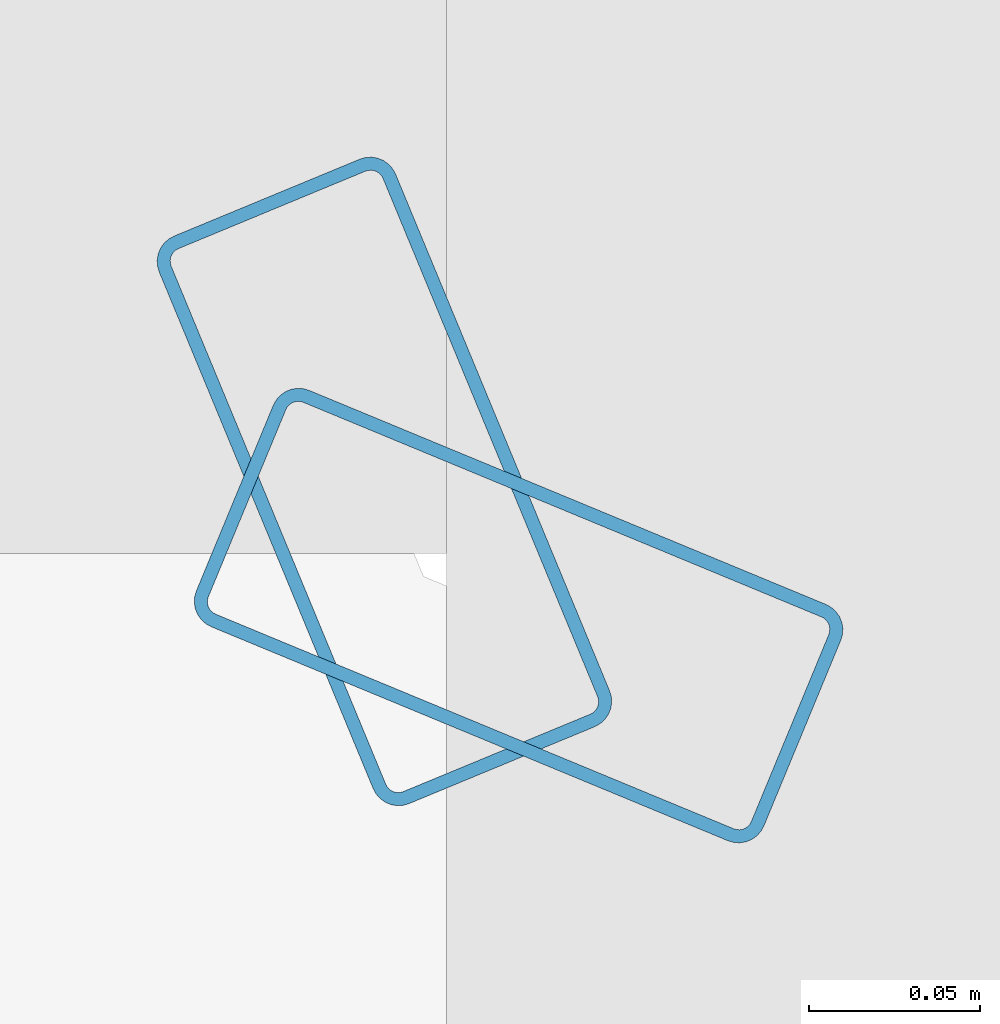
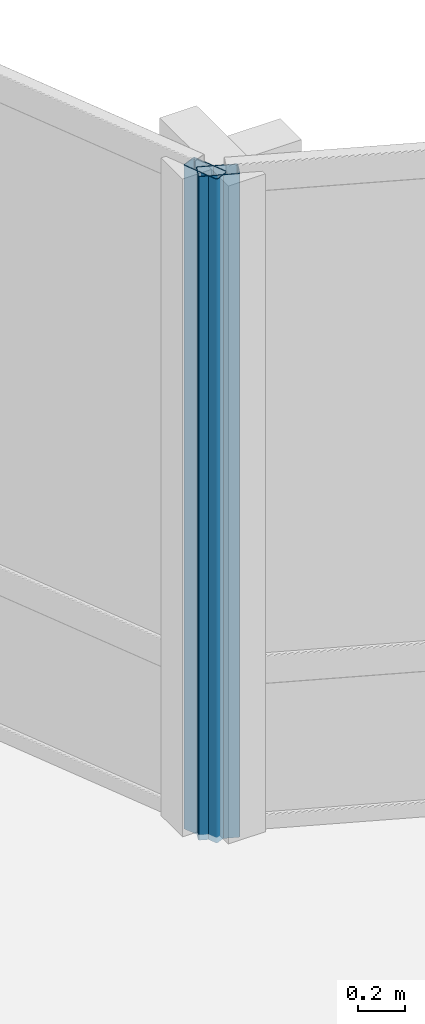
# One storey, part 8 of 29: 2 members, 2 elements without a shape of their own.
"""IFC4 building model written with IfcOpenShell, lengths in metres."""

from ifc_helpers import new_model, si_unit, direction, frame, origin, origin_2d, place, context, subcontext, project, spatial, hollow_rectangle, extrude, material, layer, layer_set, material_profile, profile_set, type_object, element, aggregate, save


model = new_model("IFC4")

# Units and contexts
model_context = context("Model", 3, precision=1e-05, world=origin(), true_north=direction((0.0, 1.0)))
body_context = subcontext(model_context, "Body", "Model", "MODEL_VIEW")
ifc_project = project(units=[si_unit("LENGTHUNIT", "METRE"), si_unit("AREAUNIT", "SQUARE_METRE"), si_unit("VOLUMEUNIT", "CUBIC_METRE"), si_unit("PLANEANGLEUNIT", "RADIAN"), si_unit("MASSUNIT", "GRAM", prefix="KILO")], contexts=[model_context])

# Site, building, storey
site_placement = place(None, origin())
site = spatial("IfcSite", under=ifc_project, at=site_placement, CompositionType="ELEMENT")
building_placement = place(site_placement, origin())
building = spatial("IfcBuilding", under=site, at=building_placement, Name="Solvaryn Broadcast Tower", CompositionType="ELEMENT")
storey_placement = place(building_placement, frame((0.0, 0.0, 143.300048828125)))
storey = spatial("IfcBuildingStorey", under=building, at=storey_placement, Name="L35", CompositionType="ELEMENT", Elevation=143.300048828125)

# Curtain wall, member
ifc_material_1 = material(Name="Aluminium and Terracotta Unitised Curtain Wall", Category="masonry")
ifc_layer = layer(ifc_material_1, 0.199951171875)
ifc_layer_set = layer_set([ifc_layer], Name="CW-SYS2-LOWMID")
curtain_wall_type = type_object("IfcCurtainWallType", Name="CW-SYS2-LOWMID", PredefinedType="NOTDEFINED", material=ifc_layer_set)
curtain_wall_1_placement = place(storey_placement, origin())
curtain_wall_1 = element("IfcCurtainWall", 1, at=curtain_wall_1_placement, inside=storey, type_object=curtain_wall_type, Name="L35 Curtain Wall CN1", PredefinedType="NOTDEFINED")
ifc_material_2 = material(Name="Anodised Aluminium 6063-T6", Category="aluminium")
ifc_material_profile = material_profile(ifc_material_2, hollow_rectangle(XDim=0.074951171875, YDim=0.179931640625, WallThickness=0.00390625, InnerFilletRadius=0.00390625, OuterFilletRadius=0.008056640625, at=origin_2d()))
ifc_profile_set = profile_set([ifc_material_profile], Name="Anodised Aluminium 6063-T6")
member_type = type_object("IfcMemberType", Name="CW-MUL-180", PredefinedType="MULLION", material=ifc_profile_set)
member_1_placement = place(storey_placement, frame((30.395751953125, 30.3564453125, 0.0), z_axis=(0.0, 0.0, 1.0), x_axis=(-0.382646127145, -0.923894983957, 0.0)))
member_1 = element("IfcMember", 2, at=member_1_placement, type_object=member_type, Name="CWS2 mullion 2", PredefinedType="MULLION", context=body_context, shape_type="SweptSolid", body=[
    extrude(hollow_rectangle(XDim=0.074951171875, YDim=0.179931640625, WallThickness=0.00390625, InnerFilletRadius=0.00390625, OuterFilletRadius=0.008056640625, at=origin_2d()), origin(), (0.0, 0.0, 1.0), 3.419921875),
])
aggregate(curtain_wall_1, [member_1])

curtain_wall_2_placement = place(storey_placement, origin())
curtain_wall_2 = element("IfcCurtainWall", 3, at=curtain_wall_2_placement, inside=storey, type_object=curtain_wall_type, Name="L35 Curtain Wall CN2", PredefinedType="NOTDEFINED")
member_2_placement = place(storey_placement, frame((30.3564453125, 30.395751953125, 0.0), z_axis=(0.0, 0.0, 1.0), x_axis=(-0.923894983957, -0.382646127145, 0.0)))
member_2 = element("IfcMember", 4, at=member_2_placement, type_object=member_type, Name="CWS2 mullion 1", PredefinedType="MULLION", context=body_context, shape_type="SweptSolid", body=[
    extrude(hollow_rectangle(XDim=0.074951171875, YDim=0.179931640625, WallThickness=0.00390625, InnerFilletRadius=0.00390625, OuterFilletRadius=0.008056640625, at=origin_2d()), origin(), (0.0, 0.0, 1.0), 3.419921875),
])
aggregate(curtain_wall_2, [member_2])

save(model, "model.ifc")
